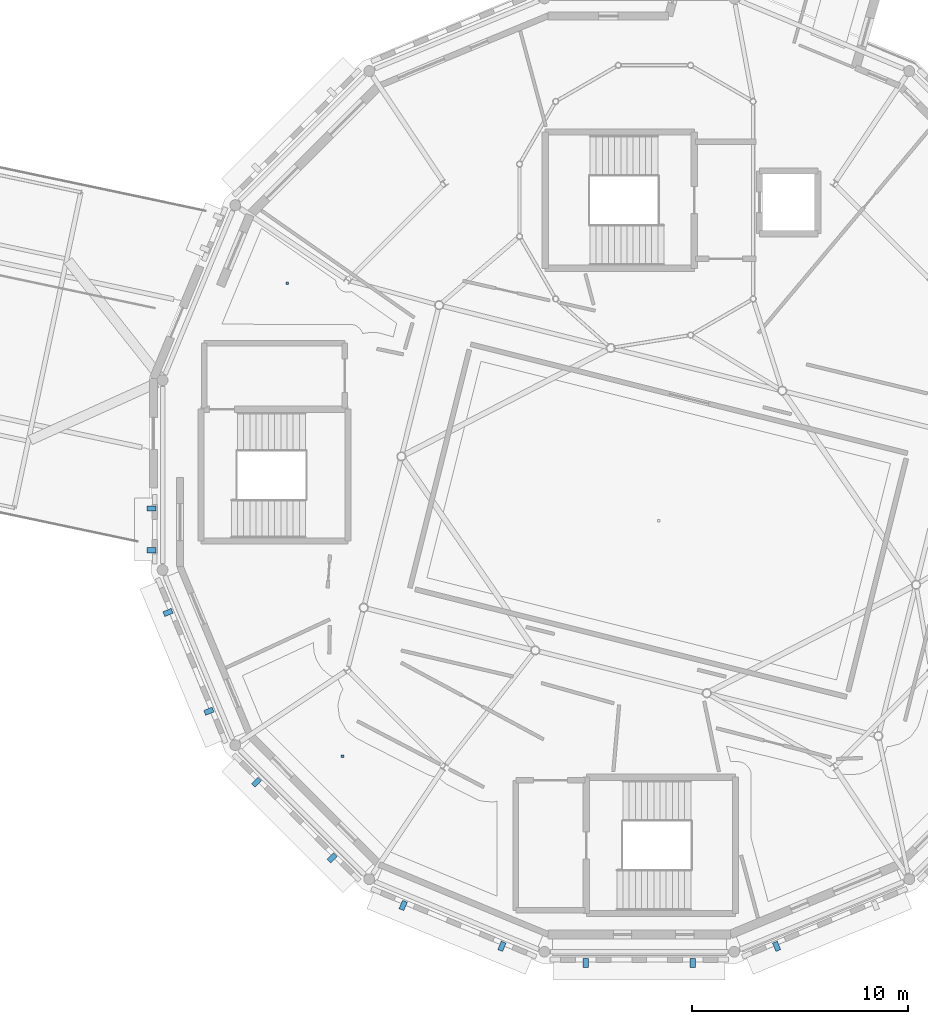
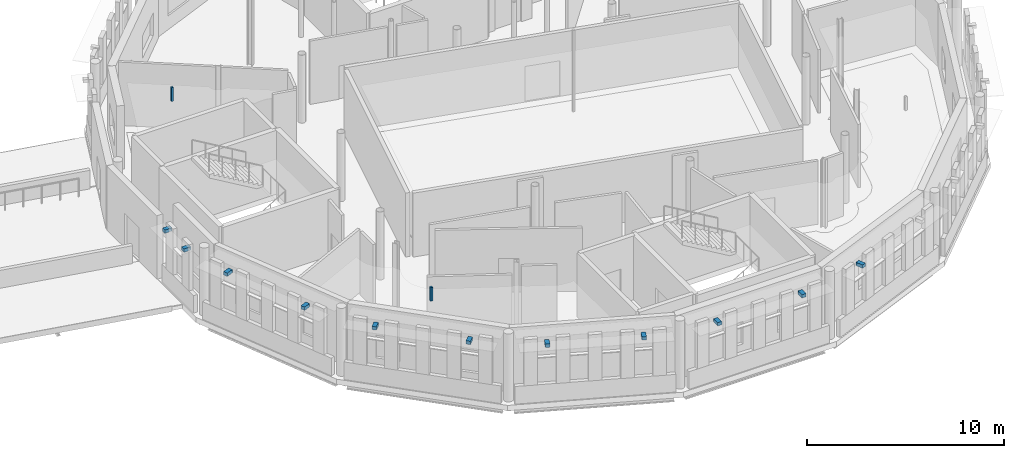
# One storey, part 80 of 90: 13 discrete accessories.
"""IFC4 building model written with IfcOpenShell, lengths in metres."""

from ifc_helpers import new_model, si_unit, direction, frame, origin, origin_2d, place, context, subcontext, project, spatial, rectangle, extrude, material, type_object, element, save


model = new_model("IFC4")

# Units and contexts
model_context = context("Model", 3, precision=1e-05, world=origin(), true_north=direction((0.0, 1.0)))
body_context = subcontext(model_context, "Body", "Model", "MODEL_VIEW")
ifc_project = project(units=[si_unit("LENGTHUNIT", "METRE"), si_unit("AREAUNIT", "SQUARE_METRE"), si_unit("VOLUMEUNIT", "CUBIC_METRE"), si_unit("PLANEANGLEUNIT", "RADIAN"), si_unit("MASSUNIT", "GRAM", prefix="KILO")], contexts=[model_context])

# Site, building, storey
site_placement = place(None, origin())
site = spatial("IfcSite", under=ifc_project, at=site_placement, CompositionType="ELEMENT")
building_placement = place(site_placement, origin())
building = spatial("IfcBuilding", under=site, at=building_placement, Name="Wrenclough Park School", CompositionType="ELEMENT")
storey_placement = place(building_placement, frame((0.0, 0.0, 8.39990234375)))
storey = spatial("IfcBuildingStorey", under=building, at=storey_placement, Name="L02", CompositionType="ELEMENT", Elevation=8.39990234375)

# Discrete accessories
ifc_material_1 = material(Name="Austenitic stainless steel Grade 1.4401", Category="steel")
discrete_accessory_type_1 = type_object("IfcDiscreteAccessoryType", Name="ENV-BRK-01", PredefinedType="BRACKET", material=ifc_material_1)
for number, where, z_axis, x_axis, name in (
    (1, (132.9619140625, 24.958984375, 3.5400390625), (0.0, 0.0, 1.0), (0.0, -1.0, 0.0), "Brise-soleil stainless outrigger bracket 0083"),
    (2, (132.9619140625, 23.028564453125, 3.5400390625), (0.0, 0.0, 1.0), (0.0, -1.0, 0.0), "Brise-soleil stainless outrigger bracket 0084"),
    (3, (133.73291015625, 20.156005859375, 3.5400390625), (0.0, 0.0, 1.0), (0.382684471717, -0.923879101997, 0.0), "Brise-soleil stainless outrigger bracket 0085"),
    (4, (135.622314453125, 15.593994140625, 3.5400390625), (0.0, 0.0, 1.0), (0.382684471717, -0.923879101997, 0.0), "Brise-soleil stainless outrigger bracket 0086"),
    (5, (137.8173828125, 12.30908203125, 3.5400390625), (0.0, 0.0, 1.0), (0.707106781187, -0.707106781187, 0.0), "Brise-soleil stainless outrigger bracket 0087"),
    (6, (141.30908203125, 8.8173828125, 3.5400390625), (0.0, 0.0, 1.0), (0.707106781187, -0.707106781187, 0.0), "Brise-soleil stainless outrigger bracket 0088"),
    (7, (144.593994140625, 6.622314453125, 3.5400390625), (0.0, 0.0, 1.0), (0.923879101997, -0.382684471717, 0.0), "Brise-soleil stainless outrigger bracket 0089"),
    (8, (149.156005859375, 4.73291015625, 3.5400390625), (0.0, 0.0, 1.0), (0.923879101997, -0.382684471717, 0.0), "Brise-soleil stainless outrigger bracket 0090"),
    (9, (153.031005859375, 3.9619140625, 3.5400390625), (0.0, 0.0, 1.0), (1.0, 0.0, 0.0), "Brise-soleil stainless outrigger bracket 0091"),
    (10, (157.968994140625, 3.9619140625, 3.5400390625), (0.0, 0.0, 1.0), (1.0, 0.0, 0.0), "Brise-soleil stainless outrigger bracket 0092"),
    (11, (161.843994140625, 4.73291015625, 3.5400390625), (0.0, 0.0, 1.0), (0.923879101997, 0.382684471717, 0.0), "Brise-soleil stainless outrigger bracket 0093"),
):
    element("IfcDiscreteAccessory", number, at=place(storey_placement, frame(where, z_axis=z_axis, x_axis=x_axis)), inside=storey, type_object=discrete_accessory_type_1, Name=name, PredefinedType="BRACKET", context=body_context, shape_type="SweptSolid", body=[
        extrude(rectangle(XDim=0.239990234375, YDim=0.419921875, at=origin_2d()), origin(), (0.0, 0.0, 1.0), 0.199951171875),
    ])
ifc_material_2 = material(Name="Galvanised steel acoustic ceiling suspension hanger", Category="steel")
discrete_accessory_type_2 = type_object("IfcDiscreteAccessoryType", Name="INT-BRK-HGR", PredefinedType="BRACKET", material=ifc_material_2)
for number, where, z_axis, x_axis, name in (
    (12, (141.7939453125, 13.511962890625, 3.090087890625), (0.0, 0.0, 1.0), (1.0, 0.0, 0.0), "Acoustic ceiling hanger bracket 0045"),
    (13, (139.248291015625, 35.36572265625, 3.090087890625), (0.0, 0.0, 1.0), (1.0, 0.0, 0.0), "Acoustic ceiling hanger bracket 0047"),
):
    element("IfcDiscreteAccessory", number, at=place(storey_placement, frame(where, z_axis=z_axis, x_axis=x_axis)), inside=storey, type_object=discrete_accessory_type_2, Name=name, PredefinedType="BRACKET", context=body_context, shape_type="SweptSolid", body=[
        extrude(rectangle(XDim=0.1201171875, YDim=0.1201171875, at=origin_2d()), origin(), (0.0, 0.0, 1.0), 0.85009765625),
    ])

save(model, "model.ifc")
